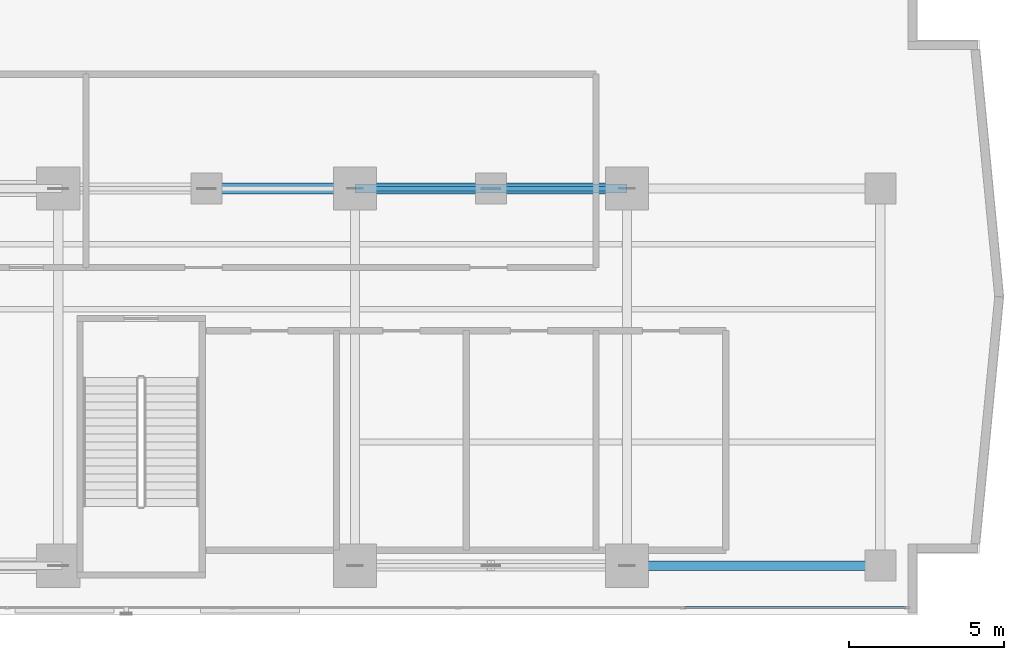
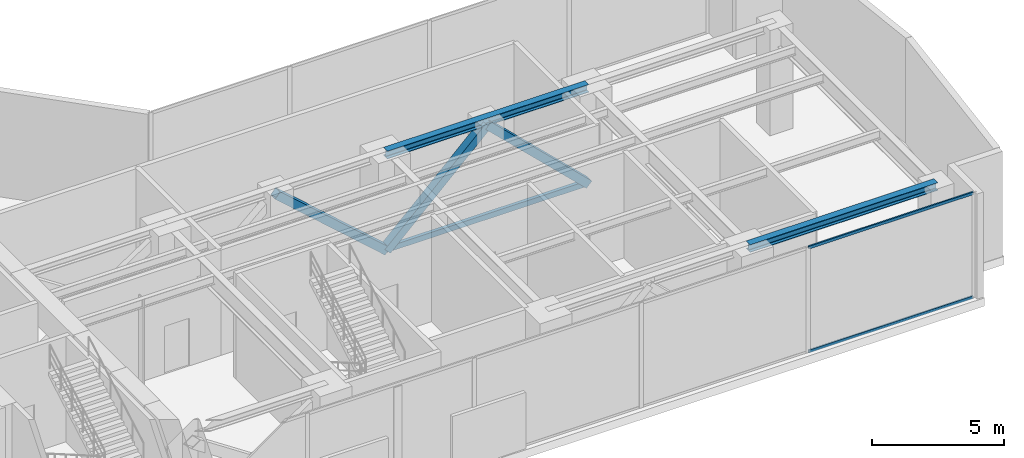
# One storey, part 16 of 37: 6 members, 2 beams, 1 element without a shape of its own.
"""IFC4 building model written with IfcOpenShell, lengths in metres."""

from ifc_helpers import new_model, si_unit, direction, frame, origin, origin_with_axes, origin_2d, place, context, subcontext, project, spatial, hollow_rectangle, i_section, extrude, source, transform, mapped, material, layer, layer_set, material_profile, profile_set, type_object, element, aggregate, save


model = new_model("IFC4")

# Units and contexts
model_context = context("Model", 3, precision=1e-05, world=origin(), true_north=direction((0.0, 1.0)))
body_context = subcontext(model_context, "Body", "Model", "MODEL_VIEW")
ifc_project = project(units=[si_unit("LENGTHUNIT", "METRE"), si_unit("AREAUNIT", "SQUARE_METRE"), si_unit("VOLUMEUNIT", "CUBIC_METRE"), si_unit("PLANEANGLEUNIT", "RADIAN"), si_unit("MASSUNIT", "GRAM", prefix="KILO")], contexts=[model_context])

# Site, building, storey
site_placement = place(None, origin())
site = spatial("IfcSite", under=ifc_project, at=site_placement, CompositionType="ELEMENT")
building_placement = place(site_placement, origin())
building = spatial("IfcBuilding", under=site, at=building_placement, Name="Kolvaren Waterfront Exchange", CompositionType="ELEMENT")
storey_placement = place(building_placement, frame((0.0, 0.0, 141.10009765625)))
storey = spatial("IfcBuildingStorey", under=building, at=storey_placement, Name="L36", CompositionType="ELEMENT", Elevation=141.10009765625)

# Beams
ifc_material_1 = material(Name="Steel S355", Category="steel")
ifc_material_profile_1 = material_profile(ifc_material_1, i_section(OverallWidth=0.300048828125, OverallDepth=0.360107421875, WebThickness=0.012451171875, FlangeThickness=0.0224609375, FilletRadius=0.027099609375, at=origin_2d()), Name="HEB360")
ifc_profile_set_1 = profile_set([ifc_material_profile_1], Name="Steel S355")
beam_type = type_object("IfcBeamType", Name="STR-BM-HEB360", PredefinedType="SPANDREL", material=ifc_profile_set_1)
beam_1_placement = place(storey_placement, frame((45.60009765625, 5.199951171875, 4.679931640625), z_axis=(1.0, 0.0, 0.0), x_axis=(0.0, 1.0, 0.0)))
element("IfcBeam", 1, at=beam_1_placement, inside=storey, type_object=beam_type, Name="L36 east-arm spandrel S4", PredefinedType="SPANDREL", context=body_context, shape_type="SweptSolid", body=[
    extrude(i_section(OverallWidth=0.300048828125, OverallDepth=0.360107421875, WebThickness=0.012451171875, FlangeThickness=0.0224609375, FilletRadius=0.027099609375, at=origin_2d()), origin(), (0.0, 0.0, 1.0), 8.199951171875),
])
beam_2_placement = place(storey_placement, frame((36.800048828125, 17.39990234375, 4.679931640625), z_axis=(1.0, 0.0, 0.0), x_axis=(0.0, 1.0, 0.0)))
element("IfcBeam", 2, at=beam_2_placement, inside=storey, type_object=beam_type, Name="L36 east-arm spandrel N3", PredefinedType="SPANDREL", context=body_context, shape_type="SweptSolid", body=[
    extrude(i_section(OverallWidth=0.300048828125, OverallDepth=0.360107421875, WebThickness=0.012451171875, FlangeThickness=0.0224609375, FilletRadius=0.027099609375, at=origin_2d()), origin(), (0.0, 0.0, 1.0), 8.800048828125),
])

# Members
ifc_material_2 = material(Name="Steel S460", Category="steel")
ifc_material_profile_2 = material_profile(ifc_material_2, hollow_rectangle(XDim=0.14990234375, YDim=0.25, WallThickness=0.010009765625, at=origin_2d()), Name="RHS250x150x10")
ifc_profile_set_2 = profile_set([ifc_material_profile_2], Name="Steel S460")
member_type_1 = type_object("IfcMemberType", Name="STR-BR-RHS250", PredefinedType="CHORD", material=ifc_profile_set_2)
member_1_placement = place(storey_placement, frame((36.800048828125, 17.39990234375, 0.25), z_axis=(1.0, 0.0, 0.0), x_axis=(0.0, 1.0, 0.0)))
element("IfcMember", 3, at=member_1_placement, inside=storey, type_object=member_type_1, Name="L36 belt-truss bottom chord BT2", PredefinedType="CHORD", context=body_context, shape_type="SweptSolid", body=[
    extrude(hollow_rectangle(XDim=0.14990234375, YDim=0.25, WallThickness=0.010009765625, at=origin_2d()), origin(), (0.0, 0.0, 1.0), 8.800048828125),
])
ifc_material_profile_3 = material_profile(ifc_material_2, hollow_rectangle(XDim=0.35009765625, YDim=0.35009765625, WallThickness=0.01611328125, at=origin_2d()), Name="SHS350x350x16")
ifc_profile_set_3 = profile_set([ifc_material_profile_3], Name="Steel S460")
member_type_2 = type_object("IfcMemberType", Name="STR-BR-SHS350", PredefinedType="BRACE", material=ifc_profile_set_3)
member_2_placement = place(storey_placement, frame((36.800048828125, 17.39990234375, 0.25), z_axis=(-0.747927500504, 0.0, 0.663780426036), x_axis=(0.0, -1.0, 0.0)))
element("IfcMember", 4, at=member_2_placement, inside=storey, type_object=member_type_2, Name="L36 belt-truss chevron brace BT1R", PredefinedType="BRACE", context=body_context, shape_type="SweptSolid", body=[
    extrude(hollow_rectangle(XDim=0.35009765625, YDim=0.35009765625, WallThickness=0.01611328125, at=origin_2d()), origin(), (0.0, 0.0, 1.0), 6.417724609375),
])
member_3_placement = place(storey_placement, frame((36.800048828125, 17.39990234375, 0.25), z_axis=(0.718435680477, 0.0, 0.695593396329), x_axis=(0.0, 1.0, 0.0)))
element("IfcMember", 5, at=member_3_placement, inside=storey, type_object=member_type_2, Name="L36 belt-truss chevron brace BT2L", PredefinedType="BRACE", context=body_context, shape_type="SweptSolid", body=[
    extrude(hollow_rectangle(XDim=0.35009765625, YDim=0.35009765625, WallThickness=0.01611328125, at=origin_2d()), origin(), (0.0, 0.0, 1.0), 6.124267578125),
])
member_4_placement = place(storey_placement, frame((45.60009765625, 17.39990234375, 0.25), z_axis=(-0.718454968031, 0.0, 0.695573474847), x_axis=(0.0, -1.0, 0.0)))
element("IfcMember", 6, at=member_4_placement, inside=storey, type_object=member_type_2, Name="L36 belt-truss chevron brace BT2R", PredefinedType="BRACE", context=body_context, shape_type="SweptSolid", body=[
    extrude(hollow_rectangle(XDim=0.35009765625, YDim=0.35009765625, WallThickness=0.01611328125, at=origin_2d()), origin(), (0.0, 0.0, 1.0), 6.12451171875),
])

# Curtain wall, members
ifc_material_3 = material(Name="Anodised dark bronze spandrel aluminium", Category="aluminium")
ifc_layer = layer(ifc_material_3, 0.219970703125, Name="Anodised dark bronze spandrel aluminium")
ifc_layer_set = layer_set([ifc_layer], Name="Anodised dark bronze spandrel aluminium")
curtain_wall_type = type_object("IfcCurtainWallType", Name="ARC-CW-SYS6", PredefinedType="USERDEFINED", material=ifc_layer_set)
curtain_wall_placement = place(storey_placement, origin())
curtain_wall = element("IfcCurtainWall", 7, at=curtain_wall_placement, inside=storey, type_object=curtain_wall_type, Name="L36 stick curtain wall CW6 (CW-L36-S)", ObjectType="STICK CURTAIN WALL", PredefinedType="USERDEFINED")
ifc_material_4 = material(Name="Anodised bronze aluminium 6063-T6", Category="aluminium")
ifc_material_profile_4 = material_profile(ifc_material_4, hollow_rectangle(XDim=0.06494140625, YDim=0.1298828125, WallThickness=0.00390625, at=origin_2d()), Name="ALU-TRN-130x65x4")
ifc_profile_set_4 = profile_set([ifc_material_profile_4], Name="Anodised bronze aluminium 6063-T6")
member_type_3 = type_object("IfcMemberType", Name="ARC-CWT-130", PredefinedType="USERDEFINED", material=ifc_profile_set_4)
shared_shape = source(origin_with_axes(), body_context, "Body", "SweptSolid", [
    extrude(hollow_rectangle(XDim=0.06494140625, YDim=0.1298828125, WallThickness=0.00390625, at=origin_2d()), origin(), (0.0, 0.0, 1.0), 7.173095703125),
])
member_5_placement = place(storey_placement, frame((47.451904296875, 3.840087890625, 0.032470703125), z_axis=(1.0, 0.0, 0.0), x_axis=(0.0, 1.0, 0.0)))
member_5 = element("IfcMember", 8, at=member_5_placement, type_object=member_type_3, Name="CW6 transom 7.1", ObjectType="TRANSOM", PredefinedType="USERDEFINED", context=body_context, shape_type="MappedRepresentation", body=[
    mapped(shared_shape, transform((0.0, 0.0, 0.0), x_axis=(1.0, 0.0, 0.0), y_axis=(0.0, 1.0, 0.0), z_axis=(0.0, 0.0, 1.0), scale=1.0)),
])
member_6_placement = place(storey_placement, frame((47.451904296875, 3.840087890625, 4.827392578125), z_axis=(1.0, 0.0, 0.0), x_axis=(0.0, 1.0, 0.0)))
member_6 = element("IfcMember", 9, at=member_6_placement, type_object=member_type_3, Name="CW6 transom 7.2", ObjectType="TRANSOM", PredefinedType="USERDEFINED", context=body_context, shape_type="MappedRepresentation", body=[
    mapped(shared_shape, transform((0.0, 0.0, 0.0), x_axis=(1.0, 0.0, 0.0), y_axis=(0.0, 1.0, 0.0), z_axis=(0.0, 0.0, 1.0), scale=1.0)),
])
aggregate(curtain_wall, [member_5, member_6])

save(model, "model.ifc")
